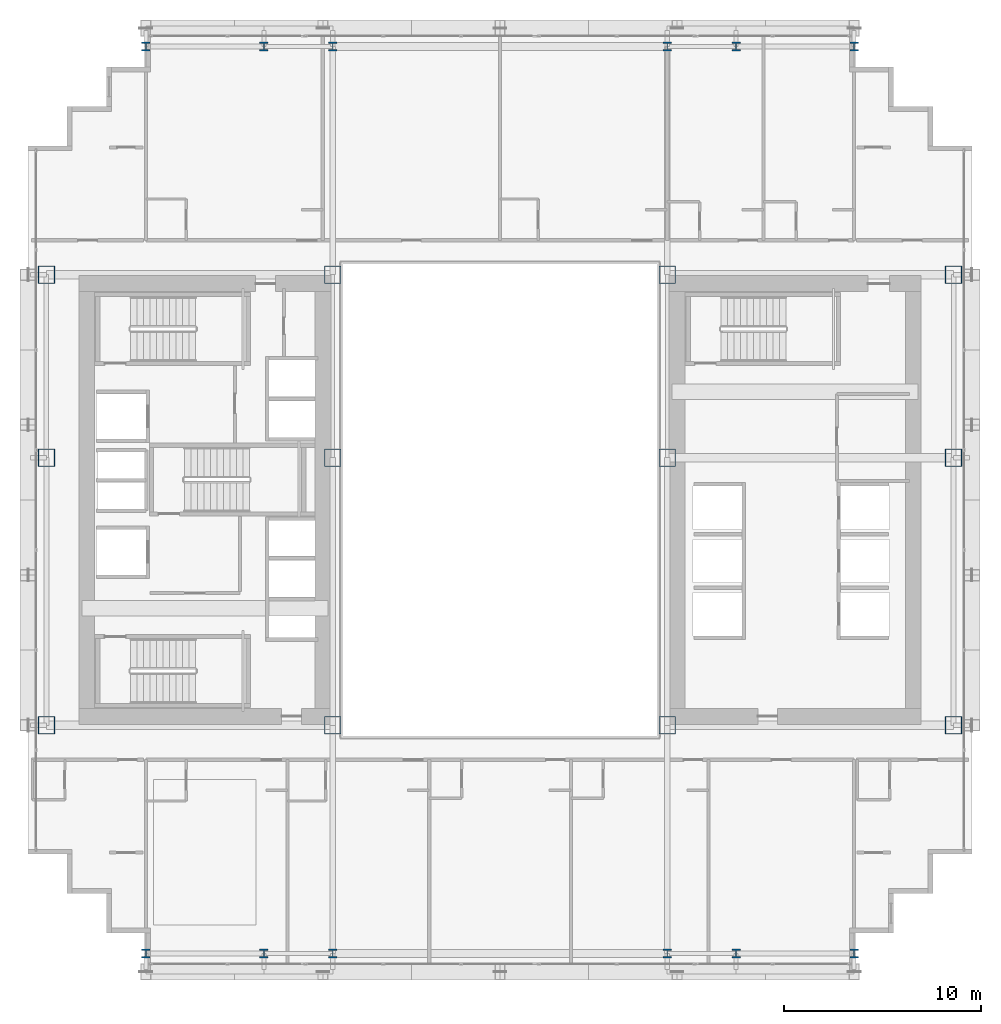
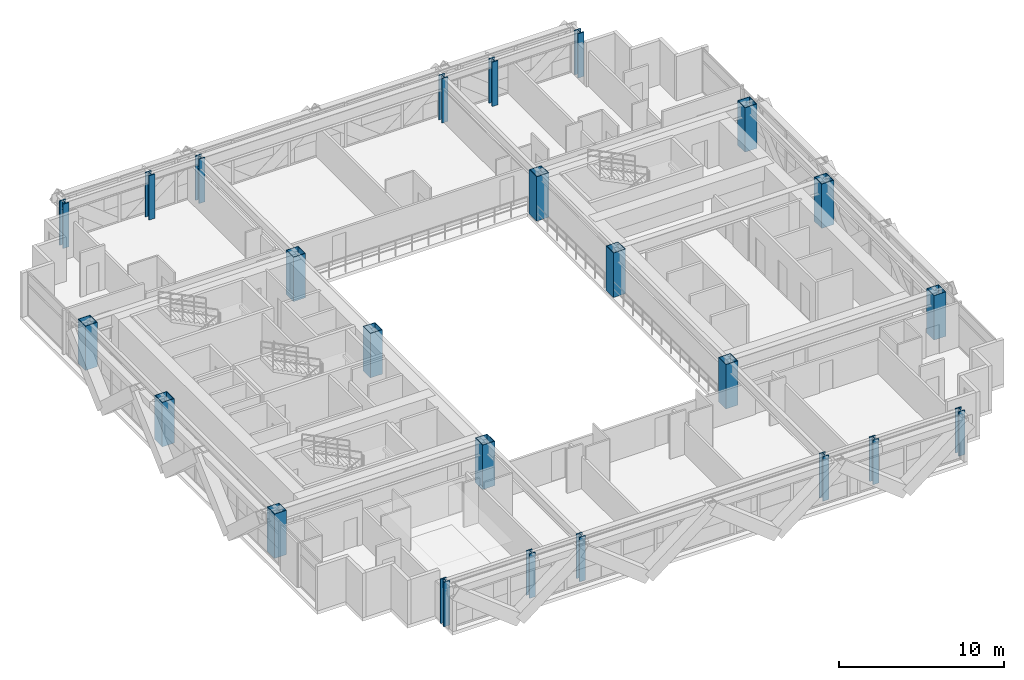
# One storey, part 1 of 35: 24 columns.
"""IFC4 building model written with IfcOpenShell, lengths in metres."""

from ifc_helpers import new_model, si_unit, direction, frame, origin, origin_2d, place, context, subcontext, project, spatial, hollow_rectangle, i_section, extrude, source, transform, mapped, material, material_profile, profile_set, type_object, element, save


model = new_model("IFC4")

# Units and contexts
model_context = context("Model", 3, precision=1e-05, world=origin(), true_north=direction((0.0, 1.0)))
body_context = subcontext(model_context, "Body", "Model", "MODEL_VIEW")
ifc_project = project(units=[si_unit("LENGTHUNIT", "METRE"), si_unit("AREAUNIT", "SQUARE_METRE"), si_unit("VOLUMEUNIT", "CUBIC_METRE"), si_unit("PLANEANGLEUNIT", "RADIAN"), si_unit("MASSUNIT", "GRAM", prefix="KILO")], contexts=[model_context])

# Site, building, storey
site_placement = place(None, origin())
site = spatial("IfcSite", under=ifc_project, at=site_placement, CompositionType="ELEMENT")
building_placement = place(site_placement, origin())
building = spatial("IfcBuilding", under=site, at=building_placement, Name="Ocotamira Hotel", CompositionType="ELEMENT")
storey_placement = place(building_placement, frame((0.0, 0.0, 81.60009765625)))
storey = spatial("IfcBuildingStorey", under=building, at=storey_placement, Name="L20", CompositionType="ELEMENT", Elevation=81.60009765625)

# Columns
ifc_material = material(Name="Steel ASTM A913 Grade 65", Category="steel")
ifc_material_profile_1 = material_profile(ifc_material, hollow_rectangle(XDim=0.85009765625, YDim=0.89990234375, WallThickness=0.0400390625, at=origin_2d()), Name="BOX900X850X40")
ifc_profile_set_1 = profile_set([ifc_material_profile_1], Name="Steel ASTM A913 Grade 65")
column_type_1 = type_object("IfcColumnType", Name="COL-BOX900", PredefinedType="COLUMN", material=ifc_profile_set_1)
shared_shape_1 = source(origin(), body_context, "Body", "SweptSolid", [
    extrude(hollow_rectangle(XDim=0.85009765625, YDim=0.89990234375, WallThickness=0.0400390625, at=origin_2d()), origin(), (0.0, 0.0, 1.0), 3.27978515625),
])
for number, where, z_axis, x_axis, name in (
    (1, (8.949951171875, 14.550048828125, 0.0), (0.0, 0.0, 1.0), (1.0, 0.0, 0.0), "L20 Column TW8_14"),
    (2, (23.5, 14.550048828125, 0.0), (0.0, 0.0, 1.0), (1.0, 0.0, 0.0), "L20 Column TW23_14"),
    (3, (40.5, 14.550048828125, 0.0), (0.0, 0.0, 1.0), (1.0, 0.0, 0.0), "L20 Column TE40_14"),
    (4, (55.050048828125, 14.550048828125, 0.0), (0.0, 0.0, 1.0), (1.0, 0.0, 0.0), "L20 Column TE55_14"),
    (5, (8.949951171875, 28.14990234375, 0.0), (0.0, 0.0, 1.0), (1.0, 0.0, 0.0), "L20 Column TW8_28"),
    (6, (23.5, 28.14990234375, 0.0), (0.0, 0.0, 1.0), (1.0, 0.0, 0.0), "L20 Column TW23_28"),
    (7, (40.5, 28.14990234375, 0.0), (0.0, 0.0, 1.0), (1.0, 0.0, 0.0), "L20 Column TE40_28"),
    (8, (55.050048828125, 28.14990234375, 0.0), (0.0, 0.0, 1.0), (1.0, 0.0, 0.0), "L20 Column TE55_28"),
    (9, (8.949951171875, 37.449951171875, 0.0), (0.0, 0.0, 1.0), (1.0, 0.0, 0.0), "L20 Column TW8_37"),
    (10, (23.5, 37.449951171875, 0.0), (0.0, 0.0, 1.0), (1.0, 0.0, 0.0), "L20 Column TW23_37"),
    (11, (40.5, 37.449951171875, 0.0), (0.0, 0.0, 1.0), (1.0, 0.0, 0.0), "L20 Column TE40_37"),
    (12, (55.050048828125, 37.449951171875, 0.0), (0.0, 0.0, 1.0), (1.0, 0.0, 0.0), "L20 Column TE55_37"),
):
    element("IfcColumn", number, at=place(storey_placement, frame(where, z_axis=z_axis, x_axis=x_axis)), inside=storey, type_object=column_type_1, Name=name, PredefinedType="COLUMN", context=body_context, shape_type="MappedRepresentation", body=[
        mapped(shared_shape_1, transform((0.0, 0.0, 0.0), scale=1.0)),
    ])
ifc_material_profile_2 = material_profile(ifc_material, i_section(OverallWidth=0.422119140625, OverallDepth=0.465087890625, WebThickness=0.044921875, FlangeThickness=0.072509765625, FilletRadius=0.02490234375, at=origin_2d()), Name="W14X398")
ifc_profile_set_2 = profile_set([ifc_material_profile_2], Name="Steel ASTM A913 Grade 65")
column_type_2 = type_object("IfcColumnType", Name="COL-W14X398", PredefinedType="COLUMN", material=ifc_profile_set_2)
shared_shape_2 = source(origin(), body_context, "Body", "SweptSolid", [
    extrude(i_section(OverallWidth=0.422119140625, OverallDepth=0.465087890625, WebThickness=0.044921875, FlangeThickness=0.072509765625, FilletRadius=0.02490234375, at=origin_2d()), origin(), (0.0, 0.0, 1.0), 3.27978515625),
])
for number, where, z_axis, x_axis, name in (
    (13, (14.0, 2.949951171875, 0.0), (0.0, 0.0, 1.0), (1.0, 0.0, 0.0), "L20 Column NSP1_14"),
    (14, (20.0, 2.949951171875, 0.0), (0.0, 0.0, 1.0), (1.0, 0.0, 0.0), "L20 Column NSP1_20"),
    (15, (23.5, 2.949951171875, 0.0), (0.0, 0.0, 1.0), (1.0, 0.0, 0.0), "L20 Column NSP1_23"),
    (16, (40.5, 2.949951171875, 0.0), (0.0, 0.0, 1.0), (1.0, 0.0, 0.0), "L20 Column NSP1_40"),
    (17, (44.0, 2.949951171875, 0.0), (0.0, 0.0, 1.0), (1.0, 0.0, 0.0), "L20 Column NSP1_44"),
    (18, (50.0, 2.949951171875, 0.0), (0.0, 0.0, 1.0), (1.0, 0.0, 0.0), "L20 Column NSP1_50"),
    (19, (14.0, 49.050048828125, 0.0), (0.0, 0.0, 1.0), (1.0, 0.0, 0.0), "L20 Column NSP2_14"),
    (20, (20.0, 49.050048828125, 0.0), (0.0, 0.0, 1.0), (1.0, 0.0, 0.0), "L20 Column NSP2_20"),
    (21, (23.5, 49.050048828125, 0.0), (0.0, 0.0, 1.0), (1.0, 0.0, 0.0), "L20 Column NSP2_23"),
    (22, (40.5, 49.050048828125, 0.0), (0.0, 0.0, 1.0), (1.0, 0.0, 0.0), "L20 Column NSP2_40"),
    (23, (44.0, 49.050048828125, 0.0), (0.0, 0.0, 1.0), (1.0, 0.0, 0.0), "L20 Column NSP2_44"),
    (24, (50.0, 49.050048828125, 0.0), (0.0, 0.0, 1.0), (1.0, 0.0, 0.0), "L20 Column NSP2_50"),
):
    element("IfcColumn", number, at=place(storey_placement, frame(where, z_axis=z_axis, x_axis=x_axis)), inside=storey, type_object=column_type_2, Name=name, PredefinedType="COLUMN", context=body_context, shape_type="MappedRepresentation", body=[
        mapped(shared_shape_2, transform((0.0, 0.0, 0.0), scale=1.0)),
    ])

save(model, "model.ifc")
